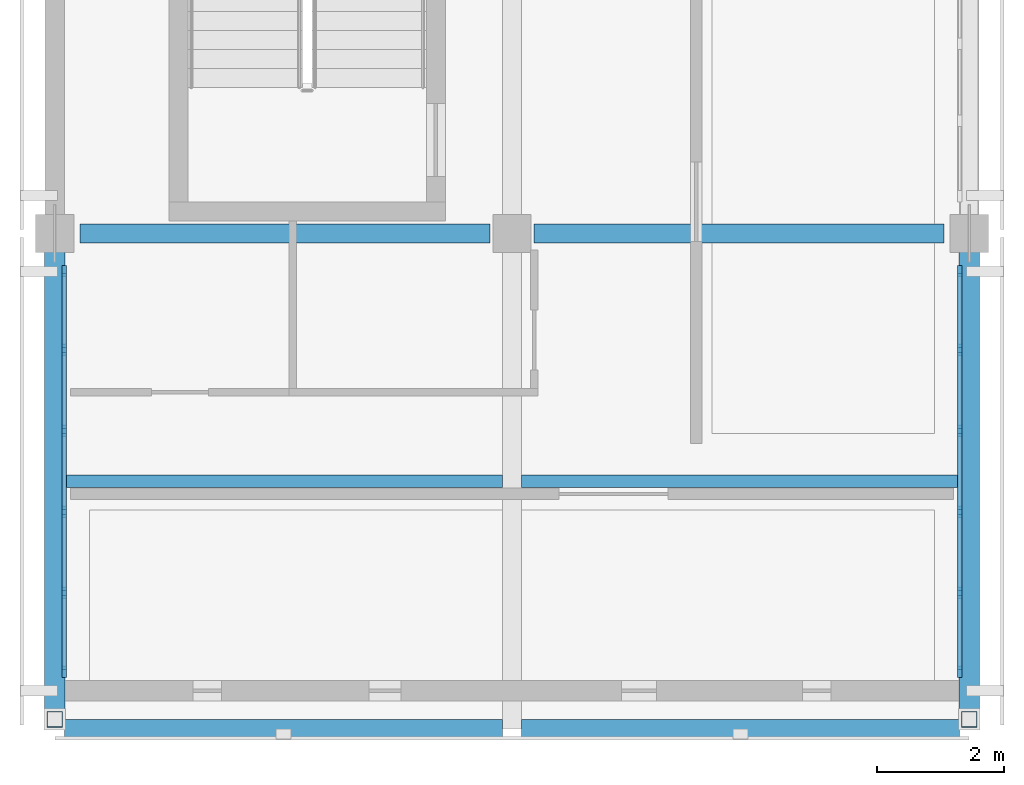
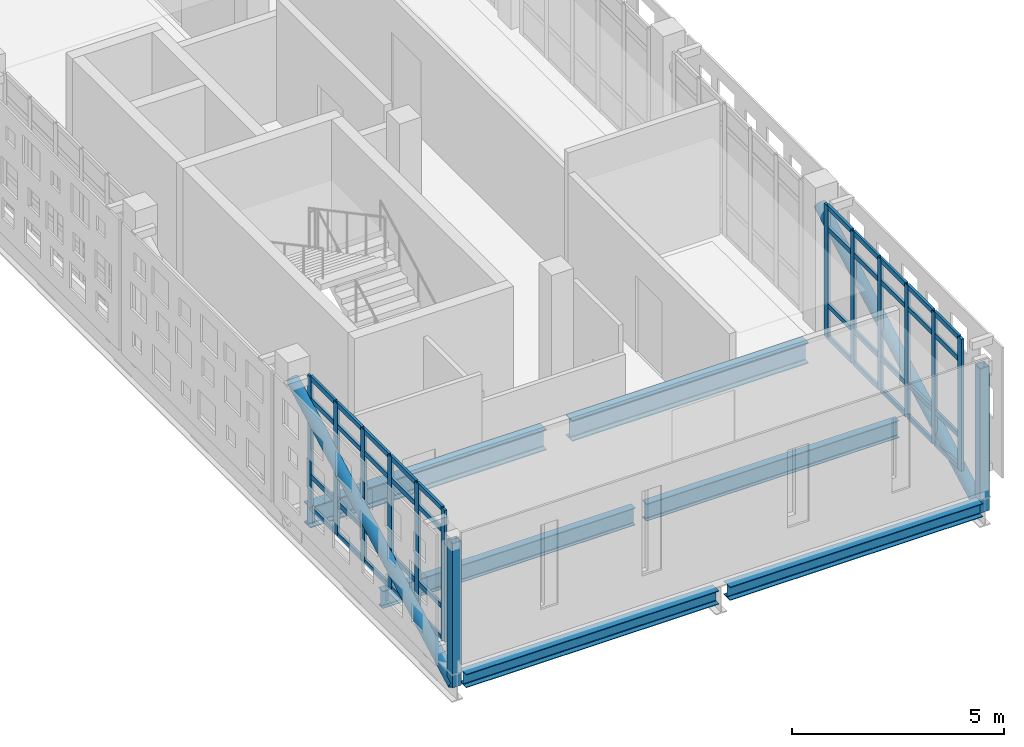
# One storey, part 2 of 21: 56 members, 6 beams, 2 elements without a shape of their own.
"""IFC4 building model written with IfcOpenShell, lengths in metres."""

from ifc_helpers import new_model, si_unit, direction, frame, origin, origin_2d, place, context, subcontext, project, spatial, rectangle, hollow_rectangle, hollow_circle, i_section, extrude, material, layer, layer_set, material_profile, profile_set, type_object, element, aggregate, save


model = new_model("IFC4")

# Units and contexts
model_context = context("Model", 3, precision=1e-05, world=origin(), true_north=direction((0.0, 1.0)))
body_context = subcontext(model_context, "Body", "Model", "MODEL_VIEW")
ifc_project = project(units=[si_unit("LENGTHUNIT", "METRE"), si_unit("AREAUNIT", "SQUARE_METRE"), si_unit("VOLUMEUNIT", "CUBIC_METRE"), si_unit("PLANEANGLEUNIT", "RADIAN"), si_unit("MASSUNIT", "GRAM", prefix="KILO")], contexts=[model_context])

# Site, building, storey
site_placement = place(None, origin())
site = spatial("IfcSite", under=ifc_project, at=site_placement, CompositionType="ELEMENT")
building_placement = place(site_placement, origin())
building = spatial("IfcBuilding", under=site, at=building_placement, Name="Valkovuoma Quantum and Materials Research Institute", CompositionType="ELEMENT")
storey_placement = place(building_placement, frame((0.0, 0.0, 29.760009765625)))
storey = spatial("IfcBuildingStorey", under=building, at=storey_placement, Name="L07", CompositionType="ELEMENT", Elevation=29.760009765625)

# Beams
ifc_material_1 = material(Name="Steel S355J2", Category="steel")
ifc_material_profile_1 = material_profile(ifc_material_1, i_section(OverallWidth=0.300048828125, OverallDepth=0.389892578125, WebThickness=0.010986328125, FlangeThickness=0.01904296875, FilletRadius=0.027099609375, at=origin_2d()), Name="Steel S355J2")
ifc_profile_set_1 = profile_set([ifc_material_profile_1], Name="Steel S355J2")
beam_type_1 = type_object("IfcBeamType", Name="Beam-B-HEA400", PredefinedType="SPANDREL", material=ifc_profile_set_1)
beam_1_placement = place(storey_placement, frame((0.14990234375, 21.0, -0.544921875), z_axis=(1.0, 0.0, 0.0), x_axis=(0.0, 1.0, 0.0)))
element("IfcBeam", 1, at=beam_1_placement, inside=storey, type_object=beam_type_1, Name="L07 cantilever tip beam 1", PredefinedType="SPANDREL", context=body_context, shape_type="SweptSolid", body=[
    extrude(i_section(OverallWidth=0.300048828125, OverallDepth=0.389892578125, WebThickness=0.010986328125, FlangeThickness=0.01904296875, FilletRadius=0.027099609375, at=origin_2d()), origin(), (0.0, 0.0, 1.0), 6.900146484375),
])
beam_2_placement = place(storey_placement, frame((7.35009765625, 21.0, -0.544921875), z_axis=(1.0, 0.0, 0.0), x_axis=(0.0, 1.0, 0.0)))
element("IfcBeam", 2, at=beam_2_placement, inside=storey, type_object=beam_type_1, Name="L07 cantilever tip beam 2", PredefinedType="SPANDREL", context=body_context, shape_type="SweptSolid", body=[
    extrude(i_section(OverallWidth=0.300048828125, OverallDepth=0.389892578125, WebThickness=0.010986328125, FlangeThickness=0.01904296875, FilletRadius=0.027099609375, at=origin_2d()), origin(), (0.0, 0.0, 1.0), 6.89990234375),
])
ifc_material_2 = material(Name="Steel S355J2", Category="steel")
ifc_material_profile_2 = material_profile(ifc_material_2, i_section(OverallWidth=0.300048828125, OverallDepth=0.60009765625, WebThickness=0.015380859375, FlangeThickness=0.030029296875, FilletRadius=0.027099609375, at=origin_2d()), Name="Steel S355J2")
ifc_profile_set_2 = profile_set([ifc_material_profile_2], Name="Steel S355J2")
beam_type_2 = type_object("IfcBeamType", Name="Beam-B-HEB600", PredefinedType="BEAM", material=ifc_profile_set_2)
beam_3_placement = place(storey_placement, frame((0.39990234375, 28.800048828125, -0.64990234375), z_axis=(1.0, 0.0, 0.0), x_axis=(0.0, 1.0, 0.0)))
element("IfcBeam", 3, at=beam_3_placement, inside=storey, type_object=beam_type_2, Name="L07 beam X-2492", PredefinedType="BEAM", context=body_context, shape_type="SweptSolid", body=[
    extrude(i_section(OverallWidth=0.300048828125, OverallDepth=0.60009765625, WebThickness=0.015380859375, FlangeThickness=0.030029296875, FilletRadius=0.027099609375, at=origin_2d()), origin(), (0.0, 0.0, 1.0), 6.4501953125),
])
beam_4_placement = place(storey_placement, frame((7.550048828125, 28.800048828125, -0.64990234375), z_axis=(1.0, 0.0, 0.0), x_axis=(0.0, 1.0, 0.0)))
element("IfcBeam", 4, at=beam_4_placement, inside=storey, type_object=beam_type_2, Name="L07 beam X-2493", PredefinedType="BEAM", context=body_context, shape_type="SweptSolid", body=[
    extrude(i_section(OverallWidth=0.300048828125, OverallDepth=0.60009765625, WebThickness=0.015380859375, FlangeThickness=0.030029296875, FilletRadius=0.027099609375, at=origin_2d()), origin(), (0.0, 0.0, 1.0), 6.449951171875),
])
ifc_material_3 = material(Name="Steel S355J2", Category="steel")
ifc_material_profile_3 = material_profile(ifc_material_3, i_section(OverallWidth=0.199951171875, OverallDepth=0.5, WebThickness=0.01025390625, FlangeThickness=0.01611328125, FilletRadius=0.02099609375, at=origin_2d()), Name="Steel S355J2")
ifc_profile_set_3 = profile_set([ifc_material_profile_3], Name="Steel S355J2")
beam_type_3 = type_object("IfcBeamType", Name="Beam-B-IPE500", PredefinedType="BEAM", material=ifc_profile_set_3)
beam_5_placement = place(storey_placement, frame((0.14990234375, 24.89990234375, -0.60009765625), z_axis=(1.0, 0.0, 0.0), x_axis=(0.0, 1.0, 0.0)))
element("IfcBeam", 5, at=beam_5_placement, inside=storey, type_object=beam_type_3, Name="L07 cantilever mid beam 1", PredefinedType="BEAM", context=body_context, shape_type="SweptSolid", body=[
    extrude(i_section(OverallWidth=0.199951171875, OverallDepth=0.5, WebThickness=0.01025390625, FlangeThickness=0.01611328125, FilletRadius=0.02099609375, at=origin_2d()), origin(), (0.0, 0.0, 1.0), 6.900146484375),
])
beam_6_placement = place(storey_placement, frame((7.35009765625, 24.89990234375, -0.60009765625), z_axis=(1.0, 0.0, 0.0), x_axis=(0.0, 1.0, 0.0)))
element("IfcBeam", 6, at=beam_6_placement, inside=storey, type_object=beam_type_3, Name="L07 cantilever mid beam 2", PredefinedType="BEAM", context=body_context, shape_type="SweptSolid", body=[
    extrude(i_section(OverallWidth=0.199951171875, OverallDepth=0.5, WebThickness=0.01025390625, FlangeThickness=0.01611328125, FilletRadius=0.02099609375, at=origin_2d()), origin(), (0.0, 0.0, 1.0), 6.89990234375),
])

# Curtain wall, members
ifc_material_4 = material(Name="Thermally broken aluminium and triple low-E glazing", Category="aluminium")
ifc_layer = layer(ifc_material_4, 0.219970703125)
ifc_layer_set = layer_set([ifc_layer], Name="Thermally broken aluminium and triple low-E glazing")
curtain_wall_type = type_object("IfcCurtainWallType", Name="CW-CW-01", PredefinedType="NOTDEFINED", material=ifc_layer_set)
curtain_wall_1_placement = place(storey_placement, origin())
curtain_wall_1 = element("IfcCurtainWall", 7, at=curtain_wall_1_placement, inside=storey, type_object=curtain_wall_type, Name="L07 curtain wall 091", PredefinedType="NOTDEFINED")
ifc_material_5 = material(Name="Anodised aluminium 6060-T66", Category="aluminium")
ifc_material_profile_4 = material_profile(ifc_material_5, rectangle(XDim=0.06494140625, YDim=0.179931640625, at=origin_2d()), Name="Anodised aluminium 6060-T66")
ifc_profile_set_4 = profile_set([ifc_material_profile_4], Name="Anodised aluminium 6060-T66")
member_type_1 = type_object("IfcMemberType", Name="CWMull-CWM-01", PredefinedType="MULLION", material=ifc_profile_set_4)
member_1_placement = place(storey_placement, frame((0.14990234375, 21.900390625, 0.0), z_axis=(0.0, 0.0, 1.0), x_axis=(-1.0, 0.0, 0.0)))
member_1 = element("IfcMember", 8, at=member_1_placement, type_object=member_type_1, Name="CW-01 mullion 1", PredefinedType="MULLION", context=body_context, shape_type="SweptSolid", body=[
    extrude(rectangle(XDim=0.06494140625, YDim=0.179931640625, at=origin_2d()), origin(), (0.0, 0.0, 1.0), 3.81005859375),
])
member_2_placement = place(storey_placement, frame((0.14990234375, 23.142822265625, 0.0), z_axis=(0.0, 0.0, 1.0), x_axis=(-1.0, 0.0, 0.0)))
member_2 = element("IfcMember", 9, at=member_2_placement, type_object=member_type_1, Name="CW-01 mullion 2", PredefinedType="MULLION", context=body_context, shape_type="SweptSolid", body=[
    extrude(rectangle(XDim=0.06494140625, YDim=0.179931640625, at=origin_2d()), origin(), (0.0, 0.0, 1.0), 3.81005859375),
])
member_3_placement = place(storey_placement, frame((0.14990234375, 24.41796875, 0.0), z_axis=(0.0, 0.0, 1.0), x_axis=(-1.0, 0.0, 0.0)))
member_3 = element("IfcMember", 10, at=member_3_placement, type_object=member_type_1, Name="CW-01 mullion 3", PredefinedType="MULLION", context=body_context, shape_type="SweptSolid", body=[
    extrude(rectangle(XDim=0.06494140625, YDim=0.179931640625, at=origin_2d()), origin(), (0.0, 0.0, 1.0), 3.81005859375),
])
member_4_placement = place(storey_placement, frame((0.14990234375, 25.69287109375, 0.0), z_axis=(0.0, 0.0, 1.0), x_axis=(-1.0, 0.0, 0.0)))
member_4 = element("IfcMember", 11, at=member_4_placement, type_object=member_type_1, Name="CW-01 mullion 4", PredefinedType="MULLION", context=body_context, shape_type="SweptSolid", body=[
    extrude(rectangle(XDim=0.06494140625, YDim=0.179931640625, at=origin_2d()), origin(), (0.0, 0.0, 1.0), 3.81005859375),
])
member_5_placement = place(storey_placement, frame((0.14990234375, 26.968017578125, 0.0), z_axis=(0.0, 0.0, 1.0), x_axis=(-1.0, 0.0, 0.0)))
member_5 = element("IfcMember", 12, at=member_5_placement, type_object=member_type_1, Name="CW-01 mullion 5", PredefinedType="MULLION", context=body_context, shape_type="SweptSolid", body=[
    extrude(rectangle(XDim=0.06494140625, YDim=0.179931640625, at=origin_2d()), origin(), (0.0, 0.0, 1.0), 3.81005859375),
])
member_6_placement = place(storey_placement, frame((0.14990234375, 28.21044921875, 0.0), z_axis=(0.0, 0.0, 1.0), x_axis=(-1.0, 0.0, 0.0)))
member_6 = element("IfcMember", 13, at=member_6_placement, type_object=member_type_1, Name="CW-01 mullion 6", PredefinedType="MULLION", context=body_context, shape_type="SweptSolid", body=[
    extrude(rectangle(XDim=0.06494140625, YDim=0.179931640625, at=origin_2d()), origin(), (0.0, 0.0, 1.0), 3.81005859375),
])

curtain_wall_2_placement = place(storey_placement, origin())
curtain_wall_2 = element("IfcCurtainWall", 14, at=curtain_wall_2_placement, inside=storey, type_object=curtain_wall_type, Name="L07 curtain wall 092", PredefinedType="NOTDEFINED")
member_7_placement = place(storey_placement, frame((14.25, 21.900390625, 0.0), z_axis=(0.0, 0.0, 1.0), x_axis=(-1.0, 0.0, 0.0)))
member_7 = element("IfcMember", 15, at=member_7_placement, type_object=member_type_1, Name="CW-01 mullion 1", PredefinedType="MULLION", context=body_context, shape_type="SweptSolid", body=[
    extrude(rectangle(XDim=0.06494140625, YDim=0.179931640625, at=origin_2d()), origin(), (0.0, 0.0, 1.0), 3.81005859375),
])
member_8_placement = place(storey_placement, frame((14.25, 23.142822265625, 0.0), z_axis=(0.0, 0.0, 1.0), x_axis=(-1.0, 0.0, 0.0)))
member_8 = element("IfcMember", 16, at=member_8_placement, type_object=member_type_1, Name="CW-01 mullion 2", PredefinedType="MULLION", context=body_context, shape_type="SweptSolid", body=[
    extrude(rectangle(XDim=0.06494140625, YDim=0.179931640625, at=origin_2d()), origin(), (0.0, 0.0, 1.0), 3.81005859375),
])
member_9_placement = place(storey_placement, frame((14.25, 24.41796875, 0.0), z_axis=(0.0, 0.0, 1.0), x_axis=(-1.0, 0.0, 0.0)))
member_9 = element("IfcMember", 17, at=member_9_placement, type_object=member_type_1, Name="CW-01 mullion 3", PredefinedType="MULLION", context=body_context, shape_type="SweptSolid", body=[
    extrude(rectangle(XDim=0.06494140625, YDim=0.179931640625, at=origin_2d()), origin(), (0.0, 0.0, 1.0), 3.81005859375),
])
member_10_placement = place(storey_placement, frame((14.25, 25.69287109375, 0.0), z_axis=(0.0, 0.0, 1.0), x_axis=(-1.0, 0.0, 0.0)))
member_10 = element("IfcMember", 18, at=member_10_placement, type_object=member_type_1, Name="CW-01 mullion 4", PredefinedType="MULLION", context=body_context, shape_type="SweptSolid", body=[
    extrude(rectangle(XDim=0.06494140625, YDim=0.179931640625, at=origin_2d()), origin(), (0.0, 0.0, 1.0), 3.81005859375),
])
member_11_placement = place(storey_placement, frame((14.25, 26.968017578125, 0.0), z_axis=(0.0, 0.0, 1.0), x_axis=(-1.0, 0.0, 0.0)))
member_11 = element("IfcMember", 19, at=member_11_placement, type_object=member_type_1, Name="CW-01 mullion 5", PredefinedType="MULLION", context=body_context, shape_type="SweptSolid", body=[
    extrude(rectangle(XDim=0.06494140625, YDim=0.179931640625, at=origin_2d()), origin(), (0.0, 0.0, 1.0), 3.81005859375),
])
member_12_placement = place(storey_placement, frame((14.25, 28.21044921875, 0.0), z_axis=(0.0, 0.0, 1.0), x_axis=(-1.0, 0.0, 0.0)))
member_12 = element("IfcMember", 20, at=member_12_placement, type_object=member_type_1, Name="CW-01 mullion 6", PredefinedType="MULLION", context=body_context, shape_type="SweptSolid", body=[
    extrude(rectangle(XDim=0.06494140625, YDim=0.179931640625, at=origin_2d()), origin(), (0.0, 0.0, 1.0), 3.81005859375),
])

# Member
ifc_material_6 = material(Name="Anodised aluminium 6060-T66", Category="aluminium")
ifc_material_profile_5 = material_profile(ifc_material_6, rectangle(XDim=0.06494140625, YDim=0.139892578125, at=origin_2d()), Name="Anodised aluminium 6060-T66")
ifc_profile_set_5 = profile_set([ifc_material_profile_5], Name="Anodised aluminium 6060-T66")
member_type_2 = type_object("IfcMemberType", Name="CWTran-CWT-01", PredefinedType="USERDEFINED", material=ifc_profile_set_5)
member_13_placement = place(storey_placement, frame((0.14990234375, 21.932861328125, 0.032470703125), z_axis=(0.0, 1.0, 0.0), x_axis=(-1.0, 0.0, 0.0)))
member_13 = element("IfcMember", 21, at=member_13_placement, type_object=member_type_2, Name="CW-01 transom 1.1", ObjectType="TRANSOM", PredefinedType="USERDEFINED", context=body_context, shape_type="SweptSolid", body=[
    extrude(rectangle(XDim=0.06494140625, YDim=0.139892578125, at=origin_2d()), origin(), (0.0, 0.0, 1.0), 1.177490234375),
])

member_14_placement = place(storey_placement, frame((0.14990234375, 21.932861328125, 0.949951171875), z_axis=(0.0, 1.0, 0.0), x_axis=(-1.0, 0.0, 0.0)))
member_14 = element("IfcMember", 22, at=member_14_placement, type_object=member_type_2, Name="CW-01 transom 1.2", ObjectType="TRANSOM", PredefinedType="USERDEFINED", context=body_context, shape_type="SweptSolid", body=[
    extrude(rectangle(XDim=0.06494140625, YDim=0.139892578125, at=origin_2d()), origin(), (0.0, 0.0, 1.0), 1.177490234375),
])

member_15_placement = place(storey_placement, frame((0.14990234375, 21.932861328125, 3.159912109375), z_axis=(0.0, 1.0, 0.0), x_axis=(-1.0, 0.0, 0.0)))
member_15 = element("IfcMember", 23, at=member_15_placement, type_object=member_type_2, Name="CW-01 transom 1.3", ObjectType="TRANSOM", PredefinedType="USERDEFINED", context=body_context, shape_type="SweptSolid", body=[
    extrude(rectangle(XDim=0.06494140625, YDim=0.139892578125, at=origin_2d()), origin(), (0.0, 0.0, 1.0), 1.177490234375),
])

member_16_placement = place(storey_placement, frame((0.14990234375, 21.932861328125, 3.777587890625), z_axis=(0.0, 1.0, 0.0), x_axis=(-1.0, 0.0, 0.0)))
member_16 = element("IfcMember", 24, at=member_16_placement, type_object=member_type_2, Name="CW-01 transom 1.4", ObjectType="TRANSOM", PredefinedType="USERDEFINED", context=body_context, shape_type="SweptSolid", body=[
    extrude(rectangle(XDim=0.06494140625, YDim=0.139892578125, at=origin_2d()), origin(), (0.0, 0.0, 1.0), 1.177490234375),
])

member_17_placement = place(storey_placement, frame((0.14990234375, 23.17529296875, 0.032470703125), z_axis=(0.0, 1.0, 0.0), x_axis=(-1.0, 0.0, 0.0)))
member_17 = element("IfcMember", 25, at=member_17_placement, type_object=member_type_2, Name="CW-01 transom 2.1", ObjectType="TRANSOM", PredefinedType="USERDEFINED", context=body_context, shape_type="SweptSolid", body=[
    extrude(rectangle(XDim=0.06494140625, YDim=0.139892578125, at=origin_2d()), origin(), (0.0, 0.0, 1.0), 1.210205078125),
])

member_18_placement = place(storey_placement, frame((0.14990234375, 23.17529296875, 0.949951171875), z_axis=(0.0, 1.0, 0.0), x_axis=(-1.0, 0.0, 0.0)))
member_18 = element("IfcMember", 26, at=member_18_placement, type_object=member_type_2, Name="CW-01 transom 2.2", ObjectType="TRANSOM", PredefinedType="USERDEFINED", context=body_context, shape_type="SweptSolid", body=[
    extrude(rectangle(XDim=0.06494140625, YDim=0.139892578125, at=origin_2d()), origin(), (0.0, 0.0, 1.0), 1.210205078125),
])

member_19_placement = place(storey_placement, frame((0.14990234375, 23.17529296875, 3.159912109375), z_axis=(0.0, 1.0, 0.0), x_axis=(-1.0, 0.0, 0.0)))
member_19 = element("IfcMember", 27, at=member_19_placement, type_object=member_type_2, Name="CW-01 transom 2.3", ObjectType="TRANSOM", PredefinedType="USERDEFINED", context=body_context, shape_type="SweptSolid", body=[
    extrude(rectangle(XDim=0.06494140625, YDim=0.139892578125, at=origin_2d()), origin(), (0.0, 0.0, 1.0), 1.210205078125),
])

member_20_placement = place(storey_placement, frame((0.14990234375, 23.17529296875, 3.777587890625), z_axis=(0.0, 1.0, 0.0), x_axis=(-1.0, 0.0, 0.0)))
member_20 = element("IfcMember", 28, at=member_20_placement, type_object=member_type_2, Name="CW-01 transom 2.4", ObjectType="TRANSOM", PredefinedType="USERDEFINED", context=body_context, shape_type="SweptSolid", body=[
    extrude(rectangle(XDim=0.06494140625, YDim=0.139892578125, at=origin_2d()), origin(), (0.0, 0.0, 1.0), 1.210205078125),
])

member_21_placement = place(storey_placement, frame((0.14990234375, 24.450439453125, 0.032470703125), z_axis=(0.0, 1.0, 0.0), x_axis=(-1.0, 0.0, 0.0)))
member_21 = element("IfcMember", 29, at=member_21_placement, type_object=member_type_2, Name="CW-01 transom 3.1", ObjectType="TRANSOM", PredefinedType="USERDEFINED", context=body_context, shape_type="SweptSolid", body=[
    extrude(rectangle(XDim=0.06494140625, YDim=0.139892578125, at=origin_2d()), origin(), (0.0, 0.0, 1.0), 1.2099609375),
])

member_22_placement = place(storey_placement, frame((0.14990234375, 24.450439453125, 0.949951171875), z_axis=(0.0, 1.0, 0.0), x_axis=(-1.0, 0.0, 0.0)))
member_22 = element("IfcMember", 30, at=member_22_placement, type_object=member_type_2, Name="CW-01 transom 3.2", ObjectType="TRANSOM", PredefinedType="USERDEFINED", context=body_context, shape_type="SweptSolid", body=[
    extrude(rectangle(XDim=0.06494140625, YDim=0.139892578125, at=origin_2d()), origin(), (0.0, 0.0, 1.0), 1.2099609375),
])

member_23_placement = place(storey_placement, frame((0.14990234375, 24.450439453125, 3.159912109375), z_axis=(0.0, 1.0, 0.0), x_axis=(-1.0, 0.0, 0.0)))
member_23 = element("IfcMember", 31, at=member_23_placement, type_object=member_type_2, Name="CW-01 transom 3.3", ObjectType="TRANSOM", PredefinedType="USERDEFINED", context=body_context, shape_type="SweptSolid", body=[
    extrude(rectangle(XDim=0.06494140625, YDim=0.139892578125, at=origin_2d()), origin(), (0.0, 0.0, 1.0), 1.2099609375),
])

member_24_placement = place(storey_placement, frame((0.14990234375, 24.450439453125, 3.777587890625), z_axis=(0.0, 1.0, 0.0), x_axis=(-1.0, 0.0, 0.0)))
member_24 = element("IfcMember", 32, at=member_24_placement, type_object=member_type_2, Name="CW-01 transom 3.4", ObjectType="TRANSOM", PredefinedType="USERDEFINED", context=body_context, shape_type="SweptSolid", body=[
    extrude(rectangle(XDim=0.06494140625, YDim=0.139892578125, at=origin_2d()), origin(), (0.0, 0.0, 1.0), 1.2099609375),
])

member_25_placement = place(storey_placement, frame((0.14990234375, 25.725341796875, 0.032470703125), z_axis=(0.0, 1.0, 0.0), x_axis=(-1.0, 0.0, 0.0)))
member_25 = element("IfcMember", 33, at=member_25_placement, type_object=member_type_2, Name="CW-01 transom 4.1", ObjectType="TRANSOM", PredefinedType="USERDEFINED", context=body_context, shape_type="SweptSolid", body=[
    extrude(rectangle(XDim=0.06494140625, YDim=0.139892578125, at=origin_2d()), origin(), (0.0, 0.0, 1.0), 1.2099609375),
])

member_26_placement = place(storey_placement, frame((0.14990234375, 25.725341796875, 0.949951171875), z_axis=(0.0, 1.0, 0.0), x_axis=(-1.0, 0.0, 0.0)))
member_26 = element("IfcMember", 34, at=member_26_placement, type_object=member_type_2, Name="CW-01 transom 4.2", ObjectType="TRANSOM", PredefinedType="USERDEFINED", context=body_context, shape_type="SweptSolid", body=[
    extrude(rectangle(XDim=0.06494140625, YDim=0.139892578125, at=origin_2d()), origin(), (0.0, 0.0, 1.0), 1.2099609375),
])

member_27_placement = place(storey_placement, frame((0.14990234375, 25.725341796875, 3.159912109375), z_axis=(0.0, 1.0, 0.0), x_axis=(-1.0, 0.0, 0.0)))
member_27 = element("IfcMember", 35, at=member_27_placement, type_object=member_type_2, Name="CW-01 transom 4.3", ObjectType="TRANSOM", PredefinedType="USERDEFINED", context=body_context, shape_type="SweptSolid", body=[
    extrude(rectangle(XDim=0.06494140625, YDim=0.139892578125, at=origin_2d()), origin(), (0.0, 0.0, 1.0), 1.2099609375),
])

member_28_placement = place(storey_placement, frame((0.14990234375, 25.725341796875, 3.777587890625), z_axis=(0.0, 1.0, 0.0), x_axis=(-1.0, 0.0, 0.0)))
member_28 = element("IfcMember", 36, at=member_28_placement, type_object=member_type_2, Name="CW-01 transom 4.4", ObjectType="TRANSOM", PredefinedType="USERDEFINED", context=body_context, shape_type="SweptSolid", body=[
    extrude(rectangle(XDim=0.06494140625, YDim=0.139892578125, at=origin_2d()), origin(), (0.0, 0.0, 1.0), 1.2099609375),
])

member_29_placement = place(storey_placement, frame((0.14990234375, 27.00048828125, 0.032470703125), z_axis=(0.0, 1.0, 0.0), x_axis=(-1.0, 0.0, 0.0)))
member_29 = element("IfcMember", 37, at=member_29_placement, type_object=member_type_2, Name="CW-01 transom 5.1", ObjectType="TRANSOM", PredefinedType="USERDEFINED", context=body_context, shape_type="SweptSolid", body=[
    extrude(rectangle(XDim=0.06494140625, YDim=0.139892578125, at=origin_2d()), origin(), (0.0, 0.0, 1.0), 1.177490234375),
])

member_30_placement = place(storey_placement, frame((0.14990234375, 27.00048828125, 0.949951171875), z_axis=(0.0, 1.0, 0.0), x_axis=(-1.0, 0.0, 0.0)))
member_30 = element("IfcMember", 38, at=member_30_placement, type_object=member_type_2, Name="CW-01 transom 5.2", ObjectType="TRANSOM", PredefinedType="USERDEFINED", context=body_context, shape_type="SweptSolid", body=[
    extrude(rectangle(XDim=0.06494140625, YDim=0.139892578125, at=origin_2d()), origin(), (0.0, 0.0, 1.0), 1.177490234375),
])

member_31_placement = place(storey_placement, frame((0.14990234375, 27.00048828125, 3.159912109375), z_axis=(0.0, 1.0, 0.0), x_axis=(-1.0, 0.0, 0.0)))
member_31 = element("IfcMember", 39, at=member_31_placement, type_object=member_type_2, Name="CW-01 transom 5.3", ObjectType="TRANSOM", PredefinedType="USERDEFINED", context=body_context, shape_type="SweptSolid", body=[
    extrude(rectangle(XDim=0.06494140625, YDim=0.139892578125, at=origin_2d()), origin(), (0.0, 0.0, 1.0), 1.177490234375),
])

member_32_placement = place(storey_placement, frame((0.14990234375, 27.00048828125, 3.777587890625), z_axis=(0.0, 1.0, 0.0), x_axis=(-1.0, 0.0, 0.0)))
member_32 = element("IfcMember", 40, at=member_32_placement, type_object=member_type_2, Name="CW-01 transom 5.4", ObjectType="TRANSOM", PredefinedType="USERDEFINED", context=body_context, shape_type="SweptSolid", body=[
    extrude(rectangle(XDim=0.06494140625, YDim=0.139892578125, at=origin_2d()), origin(), (0.0, 0.0, 1.0), 1.177490234375),
])

aggregate(curtain_wall_1, [member_1, member_2, member_3, member_4, member_5, member_6, member_13, member_14, member_15, member_16, member_17, member_18, member_19, member_20, member_21, member_22, member_23, member_24, member_25, member_26, member_27, member_28, member_29, member_30, member_31, member_32])

member_33_placement = place(storey_placement, frame((14.25, 21.932861328125, 0.032470703125), z_axis=(0.0, 1.0, 0.0), x_axis=(-1.0, 0.0, 0.0)))
member_33 = element("IfcMember", 41, at=member_33_placement, type_object=member_type_2, Name="CW-01 transom 1.1", ObjectType="TRANSOM", PredefinedType="USERDEFINED", context=body_context, shape_type="SweptSolid", body=[
    extrude(rectangle(XDim=0.06494140625, YDim=0.139892578125, at=origin_2d()), origin(), (0.0, 0.0, 1.0), 1.177490234375),
])

member_34_placement = place(storey_placement, frame((14.25, 21.932861328125, 0.949951171875), z_axis=(0.0, 1.0, 0.0), x_axis=(-1.0, 0.0, 0.0)))
member_34 = element("IfcMember", 42, at=member_34_placement, type_object=member_type_2, Name="CW-01 transom 1.2", ObjectType="TRANSOM", PredefinedType="USERDEFINED", context=body_context, shape_type="SweptSolid", body=[
    extrude(rectangle(XDim=0.06494140625, YDim=0.139892578125, at=origin_2d()), origin(), (0.0, 0.0, 1.0), 1.177490234375),
])

member_35_placement = place(storey_placement, frame((14.25, 21.932861328125, 3.159912109375), z_axis=(0.0, 1.0, 0.0), x_axis=(-1.0, 0.0, 0.0)))
member_35 = element("IfcMember", 43, at=member_35_placement, type_object=member_type_2, Name="CW-01 transom 1.3", ObjectType="TRANSOM", PredefinedType="USERDEFINED", context=body_context, shape_type="SweptSolid", body=[
    extrude(rectangle(XDim=0.06494140625, YDim=0.139892578125, at=origin_2d()), origin(), (0.0, 0.0, 1.0), 1.177490234375),
])

member_36_placement = place(storey_placement, frame((14.25, 21.932861328125, 3.777587890625), z_axis=(0.0, 1.0, 0.0), x_axis=(-1.0, 0.0, 0.0)))
member_36 = element("IfcMember", 44, at=member_36_placement, type_object=member_type_2, Name="CW-01 transom 1.4", ObjectType="TRANSOM", PredefinedType="USERDEFINED", context=body_context, shape_type="SweptSolid", body=[
    extrude(rectangle(XDim=0.06494140625, YDim=0.139892578125, at=origin_2d()), origin(), (0.0, 0.0, 1.0), 1.177490234375),
])

member_37_placement = place(storey_placement, frame((14.25, 23.17529296875, 0.032470703125), z_axis=(0.0, 1.0, 0.0), x_axis=(-1.0, 0.0, 0.0)))
member_37 = element("IfcMember", 45, at=member_37_placement, type_object=member_type_2, Name="CW-01 transom 2.1", ObjectType="TRANSOM", PredefinedType="USERDEFINED", context=body_context, shape_type="SweptSolid", body=[
    extrude(rectangle(XDim=0.06494140625, YDim=0.139892578125, at=origin_2d()), origin(), (0.0, 0.0, 1.0), 1.210205078125),
])

member_38_placement = place(storey_placement, frame((14.25, 23.17529296875, 0.949951171875), z_axis=(0.0, 1.0, 0.0), x_axis=(-1.0, 0.0, 0.0)))
member_38 = element("IfcMember", 46, at=member_38_placement, type_object=member_type_2, Name="CW-01 transom 2.2", ObjectType="TRANSOM", PredefinedType="USERDEFINED", context=body_context, shape_type="SweptSolid", body=[
    extrude(rectangle(XDim=0.06494140625, YDim=0.139892578125, at=origin_2d()), origin(), (0.0, 0.0, 1.0), 1.210205078125),
])

member_39_placement = place(storey_placement, frame((14.25, 23.17529296875, 3.159912109375), z_axis=(0.0, 1.0, 0.0), x_axis=(-1.0, 0.0, 0.0)))
member_39 = element("IfcMember", 47, at=member_39_placement, type_object=member_type_2, Name="CW-01 transom 2.3", ObjectType="TRANSOM", PredefinedType="USERDEFINED", context=body_context, shape_type="SweptSolid", body=[
    extrude(rectangle(XDim=0.06494140625, YDim=0.139892578125, at=origin_2d()), origin(), (0.0, 0.0, 1.0), 1.210205078125),
])

member_40_placement = place(storey_placement, frame((14.25, 23.17529296875, 3.777587890625), z_axis=(0.0, 1.0, 0.0), x_axis=(-1.0, 0.0, 0.0)))
member_40 = element("IfcMember", 48, at=member_40_placement, type_object=member_type_2, Name="CW-01 transom 2.4", ObjectType="TRANSOM", PredefinedType="USERDEFINED", context=body_context, shape_type="SweptSolid", body=[
    extrude(rectangle(XDim=0.06494140625, YDim=0.139892578125, at=origin_2d()), origin(), (0.0, 0.0, 1.0), 1.210205078125),
])

member_41_placement = place(storey_placement, frame((14.25, 24.450439453125, 0.032470703125), z_axis=(0.0, 1.0, 0.0), x_axis=(-1.0, 0.0, 0.0)))
member_41 = element("IfcMember", 49, at=member_41_placement, type_object=member_type_2, Name="CW-01 transom 3.1", ObjectType="TRANSOM", PredefinedType="USERDEFINED", context=body_context, shape_type="SweptSolid", body=[
    extrude(rectangle(XDim=0.06494140625, YDim=0.139892578125, at=origin_2d()), origin(), (0.0, 0.0, 1.0), 1.2099609375),
])

member_42_placement = place(storey_placement, frame((14.25, 24.450439453125, 0.949951171875), z_axis=(0.0, 1.0, 0.0), x_axis=(-1.0, 0.0, 0.0)))
member_42 = element("IfcMember", 50, at=member_42_placement, type_object=member_type_2, Name="CW-01 transom 3.2", ObjectType="TRANSOM", PredefinedType="USERDEFINED", context=body_context, shape_type="SweptSolid", body=[
    extrude(rectangle(XDim=0.06494140625, YDim=0.139892578125, at=origin_2d()), origin(), (0.0, 0.0, 1.0), 1.2099609375),
])

member_43_placement = place(storey_placement, frame((14.25, 24.450439453125, 3.159912109375), z_axis=(0.0, 1.0, 0.0), x_axis=(-1.0, 0.0, 0.0)))
member_43 = element("IfcMember", 51, at=member_43_placement, type_object=member_type_2, Name="CW-01 transom 3.3", ObjectType="TRANSOM", PredefinedType="USERDEFINED", context=body_context, shape_type="SweptSolid", body=[
    extrude(rectangle(XDim=0.06494140625, YDim=0.139892578125, at=origin_2d()), origin(), (0.0, 0.0, 1.0), 1.2099609375),
])

member_44_placement = place(storey_placement, frame((14.25, 24.450439453125, 3.777587890625), z_axis=(0.0, 1.0, 0.0), x_axis=(-1.0, 0.0, 0.0)))
member_44 = element("IfcMember", 52, at=member_44_placement, type_object=member_type_2, Name="CW-01 transom 3.4", ObjectType="TRANSOM", PredefinedType="USERDEFINED", context=body_context, shape_type="SweptSolid", body=[
    extrude(rectangle(XDim=0.06494140625, YDim=0.139892578125, at=origin_2d()), origin(), (0.0, 0.0, 1.0), 1.2099609375),
])

member_45_placement = place(storey_placement, frame((14.25, 25.725341796875, 0.032470703125), z_axis=(0.0, 1.0, 0.0), x_axis=(-1.0, 0.0, 0.0)))
member_45 = element("IfcMember", 53, at=member_45_placement, type_object=member_type_2, Name="CW-01 transom 4.1", ObjectType="TRANSOM", PredefinedType="USERDEFINED", context=body_context, shape_type="SweptSolid", body=[
    extrude(rectangle(XDim=0.06494140625, YDim=0.139892578125, at=origin_2d()), origin(), (0.0, 0.0, 1.0), 1.2099609375),
])

member_46_placement = place(storey_placement, frame((14.25, 25.725341796875, 0.949951171875), z_axis=(0.0, 1.0, 0.0), x_axis=(-1.0, 0.0, 0.0)))
member_46 = element("IfcMember", 54, at=member_46_placement, type_object=member_type_2, Name="CW-01 transom 4.2", ObjectType="TRANSOM", PredefinedType="USERDEFINED", context=body_context, shape_type="SweptSolid", body=[
    extrude(rectangle(XDim=0.06494140625, YDim=0.139892578125, at=origin_2d()), origin(), (0.0, 0.0, 1.0), 1.2099609375),
])

member_47_placement = place(storey_placement, frame((14.25, 25.725341796875, 3.159912109375), z_axis=(0.0, 1.0, 0.0), x_axis=(-1.0, 0.0, 0.0)))
member_47 = element("IfcMember", 55, at=member_47_placement, type_object=member_type_2, Name="CW-01 transom 4.3", ObjectType="TRANSOM", PredefinedType="USERDEFINED", context=body_context, shape_type="SweptSolid", body=[
    extrude(rectangle(XDim=0.06494140625, YDim=0.139892578125, at=origin_2d()), origin(), (0.0, 0.0, 1.0), 1.2099609375),
])

member_48_placement = place(storey_placement, frame((14.25, 25.725341796875, 3.777587890625), z_axis=(0.0, 1.0, 0.0), x_axis=(-1.0, 0.0, 0.0)))
member_48 = element("IfcMember", 56, at=member_48_placement, type_object=member_type_2, Name="CW-01 transom 4.4", ObjectType="TRANSOM", PredefinedType="USERDEFINED", context=body_context, shape_type="SweptSolid", body=[
    extrude(rectangle(XDim=0.06494140625, YDim=0.139892578125, at=origin_2d()), origin(), (0.0, 0.0, 1.0), 1.2099609375),
])

member_49_placement = place(storey_placement, frame((14.25, 27.00048828125, 0.032470703125), z_axis=(0.0, 1.0, 0.0), x_axis=(-1.0, 0.0, 0.0)))
member_49 = element("IfcMember", 57, at=member_49_placement, type_object=member_type_2, Name="CW-01 transom 5.1", ObjectType="TRANSOM", PredefinedType="USERDEFINED", context=body_context, shape_type="SweptSolid", body=[
    extrude(rectangle(XDim=0.06494140625, YDim=0.139892578125, at=origin_2d()), origin(), (0.0, 0.0, 1.0), 1.177490234375),
])

member_50_placement = place(storey_placement, frame((14.25, 27.00048828125, 0.949951171875), z_axis=(0.0, 1.0, 0.0), x_axis=(-1.0, 0.0, 0.0)))
member_50 = element("IfcMember", 58, at=member_50_placement, type_object=member_type_2, Name="CW-01 transom 5.2", ObjectType="TRANSOM", PredefinedType="USERDEFINED", context=body_context, shape_type="SweptSolid", body=[
    extrude(rectangle(XDim=0.06494140625, YDim=0.139892578125, at=origin_2d()), origin(), (0.0, 0.0, 1.0), 1.177490234375),
])

member_51_placement = place(storey_placement, frame((14.25, 27.00048828125, 3.159912109375), z_axis=(0.0, 1.0, 0.0), x_axis=(-1.0, 0.0, 0.0)))
member_51 = element("IfcMember", 59, at=member_51_placement, type_object=member_type_2, Name="CW-01 transom 5.3", ObjectType="TRANSOM", PredefinedType="USERDEFINED", context=body_context, shape_type="SweptSolid", body=[
    extrude(rectangle(XDim=0.06494140625, YDim=0.139892578125, at=origin_2d()), origin(), (0.0, 0.0, 1.0), 1.177490234375),
])

member_52_placement = place(storey_placement, frame((14.25, 27.00048828125, 3.777587890625), z_axis=(0.0, 1.0, 0.0), x_axis=(-1.0, 0.0, 0.0)))
member_52 = element("IfcMember", 60, at=member_52_placement, type_object=member_type_2, Name="CW-01 transom 5.4", ObjectType="TRANSOM", PredefinedType="USERDEFINED", context=body_context, shape_type="SweptSolid", body=[
    extrude(rectangle(XDim=0.06494140625, YDim=0.139892578125, at=origin_2d()), origin(), (0.0, 0.0, 1.0), 1.177490234375),
])

aggregate(curtain_wall_2, [member_7, member_8, member_9, member_10, member_11, member_12, member_33, member_34, member_35, member_36, member_37, member_38, member_39, member_40, member_41, member_42, member_43, member_44, member_45, member_46, member_47, member_48, member_49, member_50, member_51, member_52])

# Members
ifc_material_7 = material(Name="Steel S355J2H", Category="steel")
ifc_material_profile_6 = material_profile(ifc_material_7, hollow_circle(Radius=0.161865234375, WallThickness=0.01611328125, at=origin_2d()), Name="Steel S355J2H")
ifc_profile_set_6 = profile_set([ifc_material_profile_6], Name="Steel S355J2H")
member_type_3 = type_object("IfcMemberType", Name="Mem-M-BRC324", PredefinedType="BRACE", material=ifc_profile_set_6)
for number, where, z_axis, x_axis, name in (
    (61, (0.0, 21.14990234375, -0.75), (0.0, 0.878517344003, 0.477710452352), (-1.0, 0.0, 0.0), "L07 cantilever overhang diagonal 0"),
    (62, (14.39990234375, 21.14990234375, -0.75), (0.0, 0.878517344003, 0.477710452352), (-1.0, 0.0, 0.0), "L07 cantilever overhang diagonal 1"),
):
    element("IfcMember", number, at=place(storey_placement, frame(where, z_axis=z_axis, x_axis=x_axis)), inside=storey, type_object=member_type_3, Name=name, PredefinedType="BRACE", context=body_context, shape_type="SweptSolid", body=[
        extrude(hollow_circle(Radius=0.161865234375, WallThickness=0.01611328125, at=origin_2d()), origin(), (0.0, 0.0, 1.0), 8.7080078125),
    ])
ifc_material_8 = material(Name="Steel S355J2H", Category="steel")
ifc_material_profile_7 = material_profile(ifc_material_8, hollow_rectangle(XDim=0.25, YDim=0.25, WallThickness=0.012451171875, at=origin_2d()), Name="Steel S355J2H")
ifc_profile_set_7 = profile_set([ifc_material_profile_7], Name="Steel S355J2H")
member_type_4 = type_object("IfcMemberType", Name="Mem-M-STR250", PredefinedType="STRUT", material=ifc_profile_set_7)
for number, where, z_axis, x_axis, name in (
    (63, (0.0, 21.14990234375, -0.75), (0.0, 0.0, 1.0), (1.0, 0.0, 0.0), "L07 cantilever tip strut 0"),
    (64, (14.39990234375, 21.14990234375, -0.75), (0.0, 0.0, 1.0), (1.0, 0.0, 0.0), "L07 cantilever tip strut 1"),
):
    element("IfcMember", number, at=place(storey_placement, frame(where, z_axis=z_axis, x_axis=x_axis)), inside=storey, type_object=member_type_4, Name=name, PredefinedType="STRUT", context=body_context, shape_type="SweptSolid", body=[
        extrude(hollow_rectangle(XDim=0.25, YDim=0.25, WallThickness=0.012451171875, at=origin_2d()), origin(), (0.0, 0.0, 1.0), 4.159912109375),
    ])

save(model, "model.ifc")
